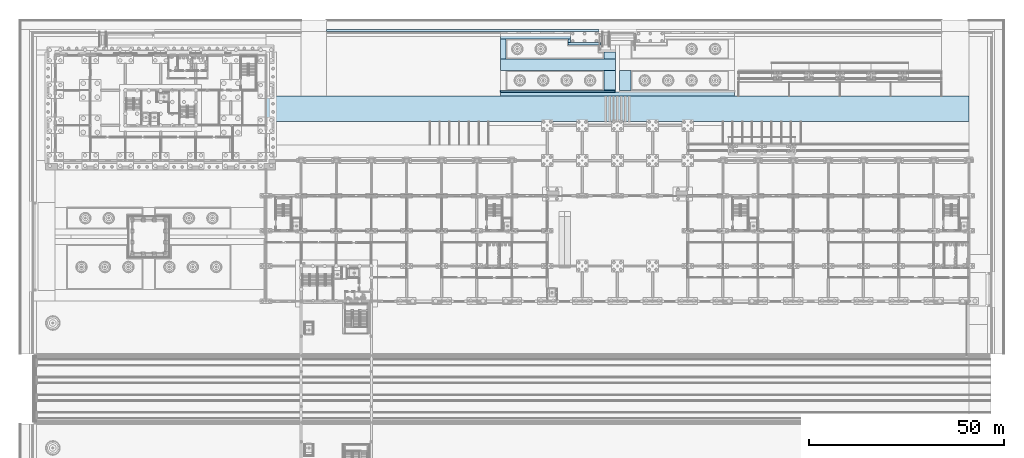
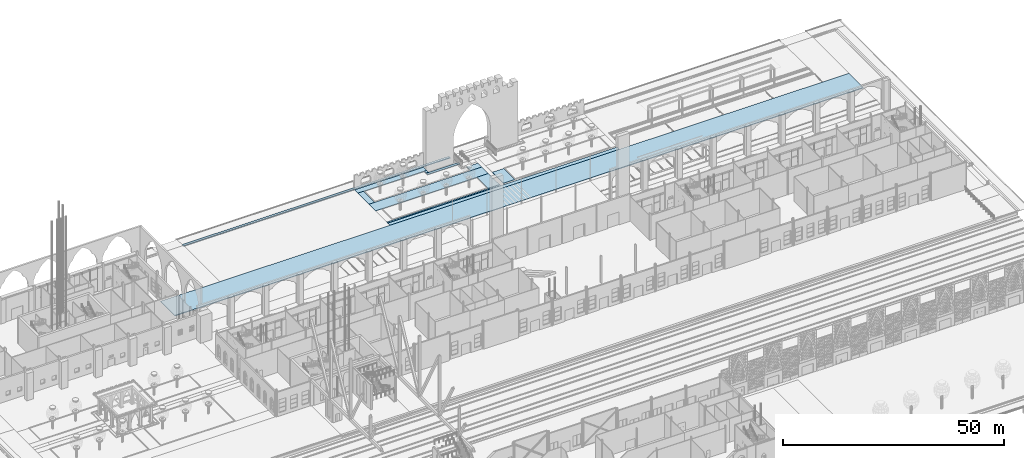
# One storey, part 83 of 250: 12 slabs.
"""IFC4 building model written with IfcOpenShell, lengths in metres."""

from ifc_helpers import new_model, si_unit, direction, frame, origin, place, context, subcontext, project, spatial, polyline, outline, extrude, material, layer, layer_set, type_object, element, save


model = new_model("IFC4")

# Units and contexts
model_context = context("Model", 3, precision=1e-05, world=origin(), true_north=direction((0.0, 1.0)))
body_context = subcontext(model_context, "Body", "Model", "MODEL_VIEW")
ifc_project = project(units=[si_unit("LENGTHUNIT", "METRE"), si_unit("AREAUNIT", "SQUARE_METRE"), si_unit("VOLUMEUNIT", "CUBIC_METRE"), si_unit("PLANEANGLEUNIT", "RADIAN"), si_unit("MASSUNIT", "GRAM", prefix="KILO")], contexts=[model_context])

# Site, building, storey
site_placement = place(None, origin())
site = spatial("IfcSite", under=ifc_project, at=site_placement, CompositionType="ELEMENT")
building_placement = place(site_placement, origin())
building = spatial("IfcBuilding", under=site, at=building_placement, Name="Baradari Gate Terminus", CompositionType="ELEMENT")
storey_placement = place(building_placement, origin())
storey = spatial("IfcBuildingStorey", under=building, at=storey_placement, Name="L00", CompositionType="ELEMENT", Elevation=0.0)

# Slabs
ifc_material_1 = material(Name="Concrete C32/40", Category="concrete")
ifc_layer_1 = layer(ifc_material_1, 0.12)
ifc_material_2 = material(Name="Asphalt")
ifc_layer_2 = layer(ifc_material_2, 0.08)
ifc_layer_set_1 = layer_set([ifc_layer_1, ifc_layer_2], Name="Concrete C32/40")
slab_type_1 = type_object("IfcSlabType", Name="Asphalt carriageway slab SL14 200", PredefinedType="BASESLAB", material=ifc_layer_set_1)
slab_1_placement = place(storey_placement, frame((0.0, 0.0, -0.199951171875)))
element("IfcSlab", 1, at=slab_1_placement, inside=storey, type_object=slab_type_1, Name="Forecourt carriageway", PredefinedType="BASESLAB", context=body_context, shape_type="SweptSolid", body=[
    extrude(outline(polyline([(243.0, 127.0), (243.0, 133.5), (63.0, 133.5), (63.0, 127.0), (243.0, 127.0)])), origin(), (0.0, 0.0, 1.0), 0.199951171875),
])
ifc_layer_3 = layer(ifc_material_1, 0.11)
ifc_material_3 = material(Name="Sandstone paving", Category="masonry")
ifc_layer_4 = layer(ifc_material_3, 0.04)
ifc_layer_set_2 = layer_set([ifc_layer_3, ifc_layer_4], Name="Concrete C32/40")
slab_type_2 = type_object("IfcSlabType", Name="Sandstone paving slab SL13 150", PredefinedType="BASESLAB", material=ifc_layer_set_2)
slab_2_placement = place(storey_placement, frame((0.0, 0.0, -0.14990234375)))
element("IfcSlab", 2, at=slab_2_placement, inside=storey, type_object=slab_type_2, Name="Charbagh walks 1", PredefinedType="BASESLAB", context=body_context, shape_type="SweptSolid", body=[
    extrude(outline(polyline([(183.0, 133.5), (183.0, 134.5), (123.0, 134.5), (123.0, 133.5), (183.0, 133.5)])), origin(), (0.0, 0.0, 1.0), 0.14990234375),
])
slab_3_placement = place(storey_placement, frame((0.0, 0.0, -0.14990234375)))
element("IfcSlab", 3, at=slab_3_placement, inside=storey, type_object=slab_type_2, Name="Charbagh walks 3", PredefinedType="BASESLAB", context=body_context, shape_type="SweptSolid", body=[
    extrude(outline(polyline([(152.5, 134.5), (152.5, 135.0), (123.0, 135.0), (123.0, 134.5), (152.5, 134.5)])), origin(), (0.0, 0.0, 1.0), 0.14990234375),
])
slab_4_placement = place(storey_placement, frame((0.0, 0.0, -0.14990234375)))
element("IfcSlab", 4, at=slab_4_placement, inside=storey, type_object=slab_type_2, Name="Charbagh walks 4", PredefinedType="BASESLAB", context=body_context, shape_type="SweptSolid", body=[
    extrude(outline(polyline([(156.5, 135.0), (156.5, 140.050048828125), (153.5, 140.050048828125), (153.5, 135.0), (156.5, 135.0)])), origin(), (0.0, 0.0, 1.0), 0.14990234375),
])
slab_5_placement = place(storey_placement, frame((0.0, 0.0, -0.14990234375)))
element("IfcSlab", 5, at=slab_5_placement, inside=storey, type_object=slab_type_2, Name="Charbagh walks 6", PredefinedType="BASESLAB", context=body_context, shape_type="SweptSolid", body=[
    extrude(outline(polyline([(152.5, 135.0), (152.5, 140.050048828125), (149.5, 140.050048828125), (149.5, 135.0), (152.5, 135.0)])), origin(), (0.0, 0.0, 1.0), 0.14990234375),
])
slab_6_placement = place(storey_placement, frame((0.0, 0.0, -0.14990234375)))
element("IfcSlab", 6, at=slab_6_placement, inside=storey, type_object=slab_type_2, Name="Charbagh walks 9", PredefinedType="BASESLAB", context=body_context, shape_type="SweptSolid", body=[
    extrude(outline(polyline([(152.5, 140.050048828125), (152.5, 143.050048828125), (123.0, 143.050048828125), (123.0, 140.050048828125), (152.5, 140.050048828125)])), origin(), (0.0, 0.0, 1.0), 0.14990234375),
])
slab_7_placement = place(storey_placement, frame((0.0, 0.0, -0.14990234375)))
element("IfcSlab", 7, at=slab_7_placement, inside=storey, type_object=slab_type_2, Name="Charbagh walks 10", PredefinedType="BASESLAB", context=body_context, shape_type="SweptSolid", body=[
    extrude(outline(polyline([(152.5, 143.050048828125), (152.5, 144.780029296875), (149.5, 144.780029296875), (149.5, 143.050048828125), (152.5, 143.050048828125)])), origin(), (0.0, 0.0, 1.0), 0.14990234375),
])
slab_8_placement = place(storey_placement, frame((0.0, 0.0, -0.14990234375)))
element("IfcSlab", 8, at=slab_8_placement, inside=storey, type_object=slab_type_2, Name="Charbagh walks 15", PredefinedType="BASESLAB", context=body_context, shape_type="SweptSolid", body=[
    extrude(outline(polyline([(148.800048828125, 146.60009765625), (148.800048828125, 147.199951171875), (140.39990234375, 147.199951171875), (140.39990234375, 146.60009765625), (148.800048828125, 146.60009765625)])), origin(), (0.0, 0.0, 1.0), 0.14990234375),
])
slab_9_placement = place(storey_placement, frame((0.0, 0.0, -0.14990234375)))
element("IfcSlab", 9, at=slab_9_placement, inside=storey, type_object=slab_type_2, Name="Charbagh walks 20", PredefinedType="BASESLAB", context=body_context, shape_type="SweptSolid", body=[
    extrude(outline(polyline([(124.5, 143.050048828125), (124.5, 148.10009765625), (123.0, 148.10009765625), (123.0, 143.050048828125), (124.5, 143.050048828125)])), origin(), (0.0, 0.0, 1.0), 0.14990234375),
])
slab_10_placement = place(storey_placement, frame((0.0, 0.0, -0.14990234375)))
element("IfcSlab", 10, at=slab_10_placement, inside=storey, type_object=slab_type_2, Name="Charbagh walks 21", PredefinedType="BASESLAB", context=body_context, shape_type="SweptSolid", body=[
    extrude(outline(polyline([(141.0, 147.199951171875), (141.0, 148.10009765625), (140.39990234375, 148.10009765625), (140.39990234375, 147.199951171875), (141.0, 147.199951171875)])), origin(), (0.0, 0.0, 1.0), 0.14990234375),
])
slab_11_placement = place(storey_placement, frame((0.0, 0.0, -0.14990234375)))
element("IfcSlab", 11, at=slab_11_placement, inside=storey, type_object=slab_type_2, Name="Charbagh walks 27", PredefinedType="BASESLAB", context=body_context, shape_type="SweptSolid", body=[
    extrude(outline(polyline([(141.0, 148.10009765625), (141.0, 149.60009765625), (123.0, 149.60009765625), (123.0, 148.10009765625), (141.0, 148.10009765625)])), origin(), (0.0, 0.0, 1.0), 0.14990234375),
])
ifc_material_4 = material(Name="Sandstone masonry", Category="masonry")
ifc_layer_5 = layer(ifc_material_4, 0.2099609375)
ifc_layer_set_3 = layer_set([ifc_layer_5], Name="Sandstone masonry")
slab_type_3 = type_object("IfcSlabType", Name="Sandstone plinth step PL-1 210", PredefinedType="BASESLAB", material=ifc_layer_set_3)
slab_12_placement = place(storey_placement, frame((0.0, 0.0, -0.340087890625)))
element("IfcSlab", 12, at=slab_12_placement, inside=storey, type_object=slab_type_3, Name="Plinth step 8", PredefinedType="BASESLAB", context=body_context, shape_type="SweptSolid", body=[
    extrude(outline(polyline([(148.300048828125, 150.0), (148.300048828125, 150.60009765625), (78.5, 150.60009765625), (78.5, 150.0), (148.300048828125, 150.0)])), origin(), (0.0, 0.0, 1.0), 0.210205078125),
])

save(model, "model.ifc")
